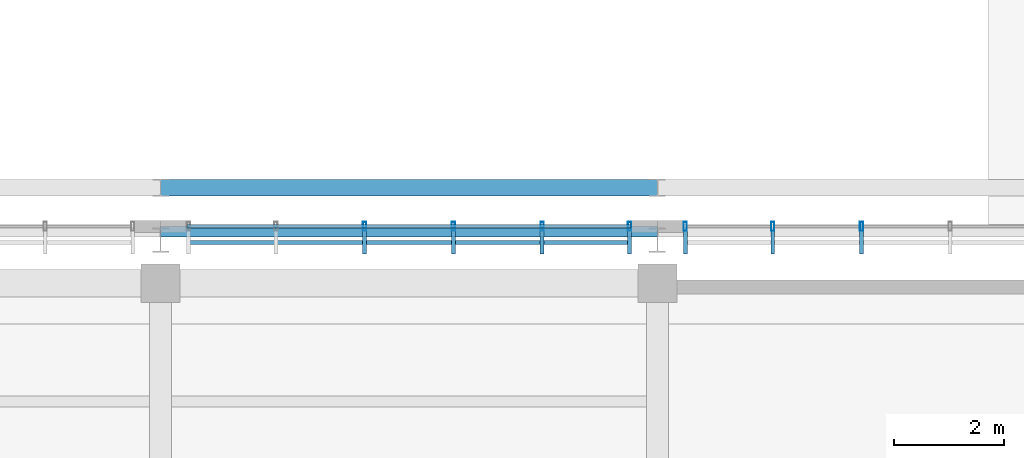
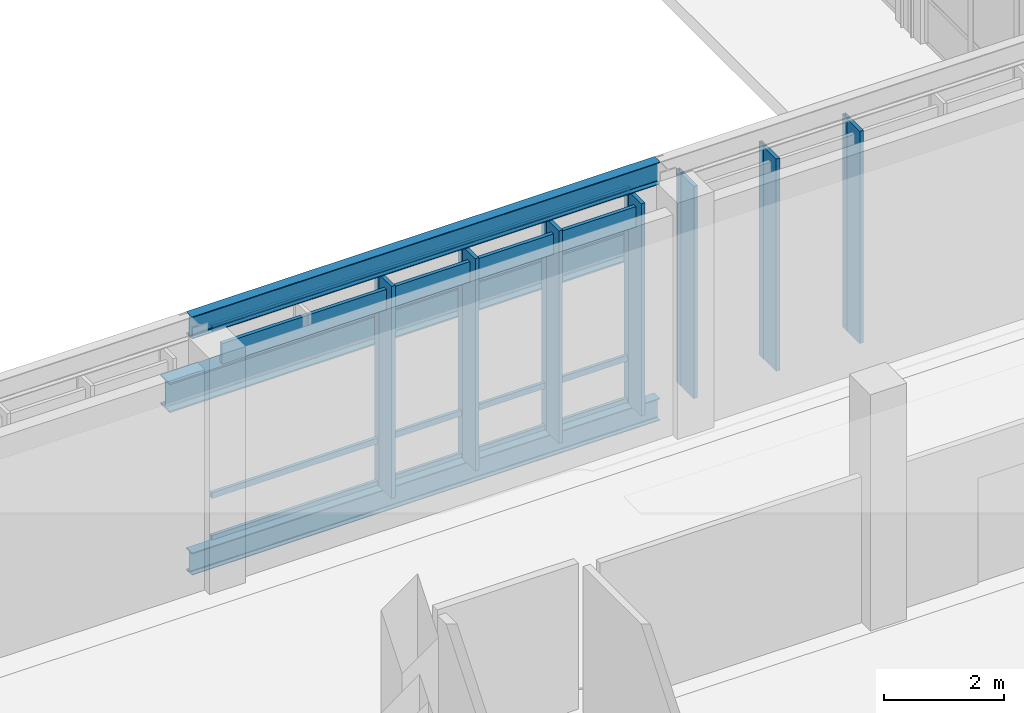
# One storey, part 99 of 177: 18 members, 3 beams, 2 elements without a shape of their own.
"""IFC4 building model written with IfcOpenShell, lengths in metres."""

from ifc_helpers import new_model, si_unit, direction, frame, origin, origin_2d, place, context, subcontext, project, spatial, rectangle, hollow_rectangle, i_section, extrude, material, material_profile, profile_set, type_object, element, aggregate, save


model = new_model("IFC4")

# Units and contexts
model_context = context("Model", 3, precision=1e-05, world=origin(), true_north=direction((0.0, 1.0)))
body_context = subcontext(model_context, "Body", "Model", "MODEL_VIEW")
ifc_project = project(units=[si_unit("LENGTHUNIT", "METRE"), si_unit("AREAUNIT", "SQUARE_METRE"), si_unit("VOLUMEUNIT", "CUBIC_METRE"), si_unit("PLANEANGLEUNIT", "RADIAN"), si_unit("MASSUNIT", "GRAM", prefix="KILO")], contexts=[model_context])

# Site, building, storey
site_placement = place(None, origin())
site = spatial("IfcSite", under=ifc_project, at=site_placement, CompositionType="ELEMENT")
building_placement = place(site_placement, origin())
building = spatial("IfcBuilding", under=site, at=building_placement, Name="Chiffa Square Polytechnic", CompositionType="ELEMENT")
storey_placement = place(building_placement, frame((0.0, 0.0, 4.800048828125)))
storey = spatial("IfcBuildingStorey", under=building, at=storey_placement, Name="L01", CompositionType="ELEMENT", Elevation=4.800048828125)

# Beams
ifc_material_1 = material(Name="Steel S355", Category="steel")
ifc_material_profile_1 = material_profile(ifc_material_1, i_section(OverallWidth=0.18994140625, OverallDepth=0.449951171875, WebThickness=0.009521484375, FlangeThickness=0.0146484375, FilletRadius=0.02099609375, at=origin_2d()), Name="IPE 450")
ifc_profile_set_1 = profile_set([ifc_material_profile_1], Name="Steel S355")
beam_type_1 = type_object("IfcBeamType", Name="BM-STL-IPE450", PredefinedType="BEAM", material=ifc_profile_set_1)
for number, where, z_axis, x_axis, name in (
    (1, (157.199951171875, 58.35009765625, -0.22509765625), (1.0, 0.0, 0.0), (0.0, 1.0, 0.0), "Workshop south clerestory sill girder BM-V2-STIE-L01-4"),
    (2, (157.199951171875, 58.35009765625, 4.574951171875), (1.0, 0.0, 0.0), (0.0, 1.0, 0.0), "Workshop south eave tie girder BM-V2-STIE-L02-4"),
):
    element("IfcBeam", number, at=place(storey_placement, frame(where, z_axis=z_axis, x_axis=x_axis)), inside=storey, type_object=beam_type_1, Name=name, PredefinedType="BEAM", context=body_context, shape_type="SweptSolid", body=[
        extrude(i_section(OverallWidth=0.18994140625, OverallDepth=0.449951171875, WebThickness=0.009521484375, FlangeThickness=0.0146484375, FilletRadius=0.02099609375, at=origin_2d()), origin(), (0.0, 0.0, 1.0), 9.0),
    ])
ifc_material_profile_2 = material_profile(ifc_material_1, i_section(OverallWidth=0.300048828125, OverallDepth=0.60009765625, WebThickness=0.015380859375, FlangeThickness=0.030029296875, FilletRadius=0.027099609375, at=origin_2d()), Name="HEB 600")
ifc_profile_set_2 = profile_set([ifc_material_profile_2], Name="Steel S355")
beam_type_2 = type_object("IfcBeamType", Name="CG-STL-HEB600", PredefinedType="USERDEFINED", material=ifc_profile_set_2)
beam_placement = place(storey_placement, frame((157.199951171875, 59.14990234375, 2.699951171875), z_axis=(1.0, 0.0, 0.0), x_axis=(0.0, 1.0, 0.0)))
element("IfcBeam", 3, at=beam_placement, inside=storey, type_object=beam_type_2, Name="Bridge crane runway girder CG-V2-L01-S06", ObjectType="CRANE GIRDER", PredefinedType="USERDEFINED", context=body_context, shape_type="SweptSolid", body=[
    extrude(i_section(OverallWidth=0.300048828125, OverallDepth=0.60009765625, WebThickness=0.015380859375, FlangeThickness=0.030029296875, FilletRadius=0.027099609375, at=origin_2d()), origin(), (0.0, 0.0, 1.0), 9.0),
])

# Curtain wall, members
ifc_material_2 = material(Name="Aluminium EN AW-6060 T66 and glulam shading", Category="wood")
curtain_wall_type_1 = type_object("IfcCurtainWallType", Name="CW-VERT-600X380", PredefinedType="USERDEFINED", material=ifc_material_2)
curtain_wall_1_placement = place(storey_placement, origin())
curtain_wall_1 = element("IfcCurtainWall", 4, at=curtain_wall_1_placement, inside=storey, type_object=curtain_wall_type_1, Name="Curtain wall CW-V2-L01S-04", ObjectType="CURTAIN WALL", PredefinedType="USERDEFINED")
ifc_material_3 = material(Name="Aluminium EN AW-6060 T66", Category="aluminium")
ifc_material_profile_3 = material_profile(ifc_material_3, hollow_rectangle(XDim=0.06005859375, YDim=0.159912109375, WallThickness=0.00390625, at=origin_2d()), Name="ALU 60x160x4")
ifc_profile_set_3 = profile_set([ifc_material_profile_3], Name="Aluminium EN AW-6060 T66")
member_type_1 = type_object("IfcMemberType", Name="CWM-ALU-65X150", PredefinedType="MULLION", material=ifc_profile_set_3)
member_1_placement = place(storey_placement, frame((160.89599609375, 58.449951171875, 0.0), z_axis=(0.0, 0.0, 1.0), x_axis=(1.0, 0.0, 0.0)))
member_1 = element("IfcMember", 5, at=member_1_placement, type_object=member_type_1, Name="Curtain wall mullion CW-V2-L01S-04-M02", PredefinedType="MULLION", context=body_context, shape_type="SweptSolid", body=[
    extrude(hollow_rectangle(XDim=0.06005859375, YDim=0.159912109375, WallThickness=0.00390625, at=origin_2d()), origin(), (0.0, 0.0, 1.0), 4.3349609375),
])
member_2_placement = place(storey_placement, frame((162.50390625, 58.449951171875, 0.0), z_axis=(0.0, 0.0, 1.0), x_axis=(1.0, 0.0, 0.0)))
member_2 = element("IfcMember", 6, at=member_2_placement, type_object=member_type_1, Name="Curtain wall mullion CW-V2-L01S-04-M03", PredefinedType="MULLION", context=body_context, shape_type="SweptSolid", body=[
    extrude(hollow_rectangle(XDim=0.06005859375, YDim=0.159912109375, WallThickness=0.00390625, at=origin_2d()), origin(), (0.0, 0.0, 1.0), 4.3349609375),
])
member_3_placement = place(storey_placement, frame((164.112060546875, 58.449951171875, 0.0), z_axis=(0.0, 0.0, 1.0), x_axis=(1.0, 0.0, 0.0)))
member_3 = element("IfcMember", 7, at=member_3_placement, type_object=member_type_1, Name="Curtain wall mullion CW-V2-L01S-04-M04", PredefinedType="MULLION", context=body_context, shape_type="SweptSolid", body=[
    extrude(hollow_rectangle(XDim=0.06005859375, YDim=0.159912109375, WallThickness=0.00390625, at=origin_2d()), origin(), (0.0, 0.0, 1.0), 4.3349609375),
])
member_4_placement = place(storey_placement, frame((165.695068359375, 58.449951171875, 0.0), z_axis=(0.0, 0.0, 1.0), x_axis=(1.0, 0.0, 0.0)))
member_4 = element("IfcMember", 8, at=member_4_placement, type_object=member_type_1, Name="Curtain wall mullion CW-V2-L01S-04-M05", PredefinedType="MULLION", context=body_context, shape_type="SweptSolid", body=[
    extrude(hollow_rectangle(XDim=0.06005859375, YDim=0.159912109375, WallThickness=0.00390625, at=origin_2d()), origin(), (0.0, 0.0, 1.0), 4.3349609375),
])

curtain_wall_type_2 = type_object("IfcCurtainWallType", Name="CW-VERT-360X380", PredefinedType="USERDEFINED", material=ifc_material_2)
curtain_wall_2_placement = place(storey_placement, origin())
curtain_wall_2 = element("IfcCurtainWall", 9, at=curtain_wall_2_placement, inside=storey, type_object=curtain_wall_type_2, Name="Curtain wall CW-V2-L01S-05", ObjectType="CURTAIN WALL", PredefinedType="USERDEFINED")
member_5_placement = place(storey_placement, frame((166.705078125, 58.449951171875, 0.0), z_axis=(0.0, 0.0, 1.0), x_axis=(1.0, 0.0, 0.0)))
member_5 = element("IfcMember", 10, at=member_5_placement, type_object=member_type_1, Name="Curtain wall mullion CW-V2-L01S-05-M00", PredefinedType="MULLION", context=body_context, shape_type="SweptSolid", body=[
    extrude(hollow_rectangle(XDim=0.06005859375, YDim=0.159912109375, WallThickness=0.00390625, at=origin_2d()), origin(), (0.0, 0.0, 1.0), 4.3349609375),
])
member_6_placement = place(storey_placement, frame((168.2880859375, 58.449951171875, 0.0), z_axis=(0.0, 0.0, 1.0), x_axis=(1.0, 0.0, 0.0)))
member_6 = element("IfcMember", 11, at=member_6_placement, type_object=member_type_1, Name="Curtain wall mullion CW-V2-L01S-05-M01", PredefinedType="MULLION", context=body_context, shape_type="SweptSolid", body=[
    extrude(hollow_rectangle(XDim=0.06005859375, YDim=0.159912109375, WallThickness=0.00390625, at=origin_2d()), origin(), (0.0, 0.0, 1.0), 4.3349609375),
])
member_7_placement = place(storey_placement, frame((169.89599609375, 58.449951171875, 0.0), z_axis=(0.0, 0.0, 1.0), x_axis=(1.0, 0.0, 0.0)))
member_7 = element("IfcMember", 12, at=member_7_placement, type_object=member_type_1, Name="Curtain wall mullion CW-V2-L01S-05-M02", PredefinedType="MULLION", context=body_context, shape_type="SweptSolid", body=[
    extrude(hollow_rectangle(XDim=0.06005859375, YDim=0.159912109375, WallThickness=0.00390625, at=origin_2d()), origin(), (0.0, 0.0, 1.0), 4.3349609375),
])

# Member
ifc_material_4 = material(Name="Glulam GL28h", Category="wood")
ifc_material_profile_4 = material_profile(ifc_material_4, rectangle(XDim=0.070068359375, YDim=0.419921875, at=origin_2d()), Name="GL28h 70x420")
ifc_profile_set_4 = profile_set([ifc_material_profile_4], Name="Glulam GL28h")
member_type_2 = type_object("IfcMemberType", Name="CWM-GL-70X420", PredefinedType="MULLION", material=ifc_profile_set_4)
member_8_placement = place(storey_placement, frame((160.89599609375, 58.157958984375, 0.010009765625), z_axis=(0.0, 0.0, 1.0), x_axis=(1.0, 0.0, 0.0)))
member_8 = element("IfcMember", 13, at=member_8_placement, type_object=member_type_2, Name="Exterior glulam solar fin CW-V2-L01S-04-FN02", PredefinedType="MULLION", context=body_context, shape_type="SweptSolid", body=[
    extrude(rectangle(XDim=0.070068359375, YDim=0.419921875, at=origin_2d()), origin(), (0.0, 0.0, 1.0), 4.31494140625),
])

member_9_placement = place(storey_placement, frame((162.50390625, 58.157958984375, 0.010009765625), z_axis=(0.0, 0.0, 1.0), x_axis=(1.0, 0.0, 0.0)))
member_9 = element("IfcMember", 14, at=member_9_placement, type_object=member_type_2, Name="Exterior glulam solar fin CW-V2-L01S-04-FN03", PredefinedType="MULLION", context=body_context, shape_type="SweptSolid", body=[
    extrude(rectangle(XDim=0.070068359375, YDim=0.419921875, at=origin_2d()), origin(), (0.0, 0.0, 1.0), 4.31494140625),
])

member_10_placement = place(storey_placement, frame((164.112060546875, 58.157958984375, 0.010009765625), z_axis=(0.0, 0.0, 1.0), x_axis=(1.0, 0.0, 0.0)))
member_10 = element("IfcMember", 15, at=member_10_placement, type_object=member_type_2, Name="Exterior glulam solar fin CW-V2-L01S-04-FN04", PredefinedType="MULLION", context=body_context, shape_type="SweptSolid", body=[
    extrude(rectangle(XDim=0.070068359375, YDim=0.419921875, at=origin_2d()), origin(), (0.0, 0.0, 1.0), 4.31494140625),
])

member_11_placement = place(storey_placement, frame((165.695068359375, 58.157958984375, 0.010009765625), z_axis=(0.0, 0.0, 1.0), x_axis=(1.0, 0.0, 0.0)))
member_11 = element("IfcMember", 16, at=member_11_placement, type_object=member_type_2, Name="Exterior glulam solar fin CW-V2-L01S-04-FN05", PredefinedType="MULLION", context=body_context, shape_type="SweptSolid", body=[
    extrude(rectangle(XDim=0.070068359375, YDim=0.419921875, at=origin_2d()), origin(), (0.0, 0.0, 1.0), 4.31494140625),
])

member_12_placement = place(storey_placement, frame((166.705078125, 58.157958984375, 0.010009765625), z_axis=(0.0, 0.0, 1.0), x_axis=(1.0, 0.0, 0.0)))
member_12 = element("IfcMember", 17, at=member_12_placement, type_object=member_type_2, Name="Exterior glulam solar fin CW-V2-L01S-05-FN00", PredefinedType="MULLION", context=body_context, shape_type="SweptSolid", body=[
    extrude(rectangle(XDim=0.070068359375, YDim=0.419921875, at=origin_2d()), origin(), (0.0, 0.0, 1.0), 4.31494140625),
])

member_13_placement = place(storey_placement, frame((168.2880859375, 58.157958984375, 0.010009765625), z_axis=(0.0, 0.0, 1.0), x_axis=(1.0, 0.0, 0.0)))
member_13 = element("IfcMember", 18, at=member_13_placement, type_object=member_type_2, Name="Exterior glulam solar fin CW-V2-L01S-05-FN01", PredefinedType="MULLION", context=body_context, shape_type="SweptSolid", body=[
    extrude(rectangle(XDim=0.070068359375, YDim=0.419921875, at=origin_2d()), origin(), (0.0, 0.0, 1.0), 4.31494140625),
])

member_14_placement = place(storey_placement, frame((169.89599609375, 58.157958984375, 0.010009765625), z_axis=(0.0, 0.0, 1.0), x_axis=(1.0, 0.0, 0.0)))
member_14 = element("IfcMember", 19, at=member_14_placement, type_object=member_type_2, Name="Exterior glulam solar fin CW-V2-L01S-05-FN02", PredefinedType="MULLION", context=body_context, shape_type="SweptSolid", body=[
    extrude(rectangle(XDim=0.070068359375, YDim=0.419921875, at=origin_2d()), origin(), (0.0, 0.0, 1.0), 4.31494140625),
])

aggregate(curtain_wall_2, [member_5, member_12, member_6, member_13, member_7, member_14])

ifc_material_profile_5 = material_profile(ifc_material_3, hollow_rectangle(XDim=0.06005859375, YDim=0.1201171875, WallThickness=0.00390625, at=origin_2d()), Name="ALU 60x120x4")
ifc_profile_set_5 = profile_set([ifc_material_profile_5], Name="Aluminium EN AW-6060 T66")
member_type_3 = type_object("IfcMemberType", Name="CWT-ALU-65X120", PredefinedType="USERDEFINED", material=ifc_profile_set_5)
member_15_placement = place(storey_placement, frame((157.677978515625, 58.449951171875, 0.030029296875), z_axis=(1.0, 0.0, 0.0), x_axis=(0.0, 1.0, 0.0)))
member_15 = element("IfcMember", 20, at=member_15_placement, type_object=member_type_3, Name="Curtain wall transom CW-V2-L01S-04-T01", ObjectType="TRANSOM", PredefinedType="USERDEFINED", context=body_context, shape_type="SweptSolid", body=[
    extrude(hollow_rectangle(XDim=0.06005859375, YDim=0.1201171875, WallThickness=0.00390625, at=origin_2d()), origin(), (0.0, 0.0, 1.0), 8.0439453125),
])

member_16_placement = place(storey_placement, frame((157.677978515625, 58.449951171875, 0.89990234375), z_axis=(1.0, 0.0, 0.0), x_axis=(0.0, 1.0, 0.0)))
member_16 = element("IfcMember", 21, at=member_16_placement, type_object=member_type_3, Name="Curtain wall transom CW-V2-L01S-04-T02", ObjectType="TRANSOM", PredefinedType="USERDEFINED", context=body_context, shape_type="SweptSolid", body=[
    extrude(hollow_rectangle(XDim=0.06005859375, YDim=0.1201171875, WallThickness=0.00390625, at=origin_2d()), origin(), (0.0, 0.0, 1.0), 8.0439453125),
])

member_17_placement = place(storey_placement, frame((157.677978515625, 58.449951171875, 4.304931640625), z_axis=(1.0, 0.0, 0.0), x_axis=(0.0, 1.0, 0.0)))
member_17 = element("IfcMember", 22, at=member_17_placement, type_object=member_type_3, Name="Curtain wall transom CW-V2-L01S-04-T03", ObjectType="TRANSOM", PredefinedType="USERDEFINED", context=body_context, shape_type="SweptSolid", body=[
    extrude(hollow_rectangle(XDim=0.06005859375, YDim=0.1201171875, WallThickness=0.00390625, at=origin_2d()), origin(), (0.0, 0.0, 1.0), 8.0439453125),
])

ifc_material_profile_6 = material_profile(ifc_material_4, rectangle(XDim=0.070068359375, YDim=0.419921875, at=origin_2d()), Name="GL28h 70x420")
ifc_profile_set_6 = profile_set([ifc_material_profile_6], Name="Glulam GL28h")
member_type_4 = type_object("IfcMemberType", Name="CWT-GL-70X420", PredefinedType="USERDEFINED", material=ifc_profile_set_6)
member_18_placement = place(storey_placement, frame((157.705078125, 58.157958984375, 3.954833984375), z_axis=(1.0, 0.0, 0.0), x_axis=(0.0, 1.0, 0.0)))
member_18 = element("IfcMember", 23, at=member_18_placement, type_object=member_type_4, Name="Exterior glulam brise-soleil CW-V2-L01S-04-BS01", ObjectType="TRANSOM", PredefinedType="USERDEFINED", context=body_context, shape_type="SweptSolid", body=[
    extrude(rectangle(XDim=0.070068359375, YDim=0.419921875, at=origin_2d()), origin(), (0.0, 0.0, 1.0), 7.989990234375),
])

aggregate(curtain_wall_1, [member_1, member_8, member_2, member_9, member_3, member_10, member_4, member_11, member_15, member_16, member_17, member_18])

save(model, "model.ifc")
